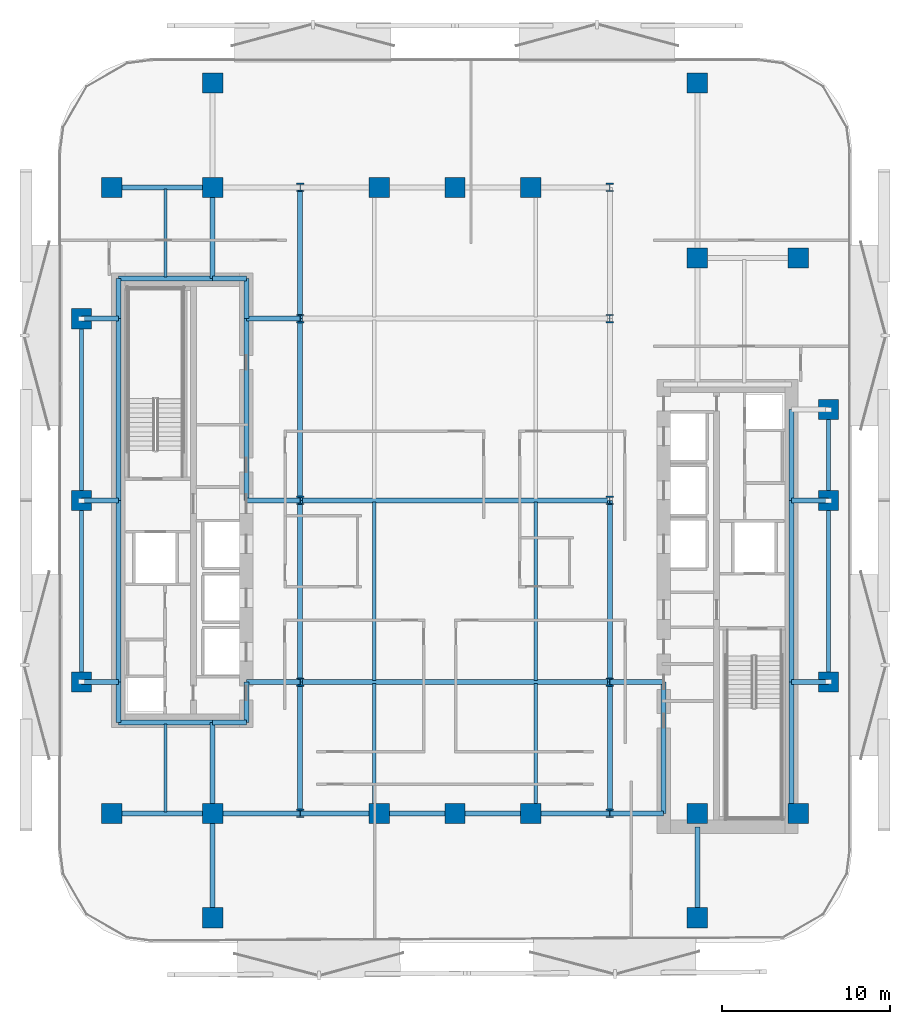
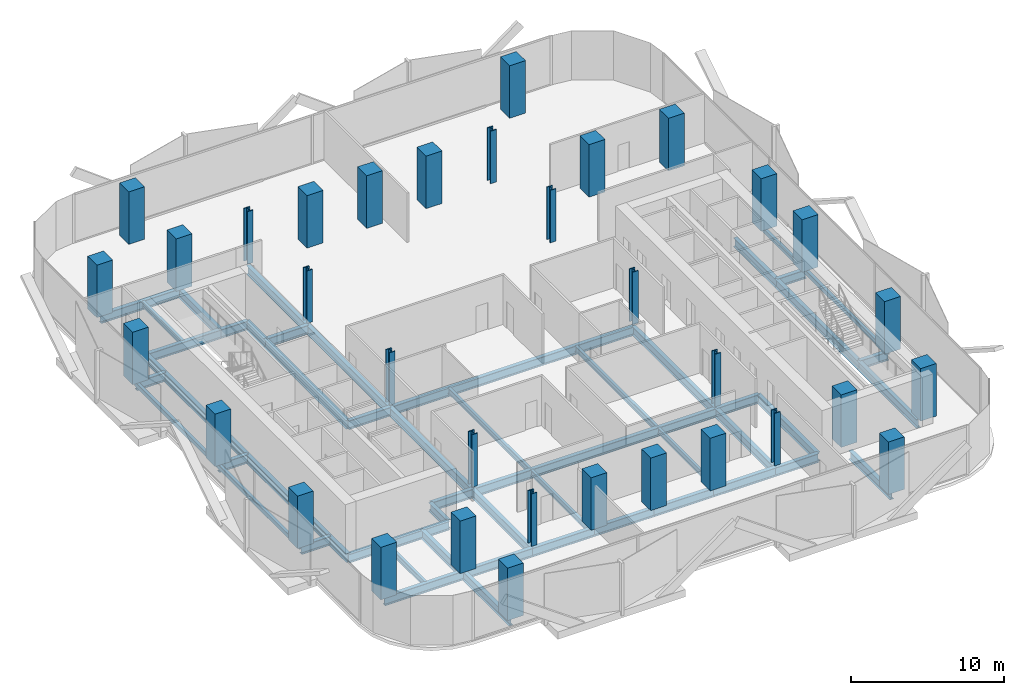
# One storey, part 1 of 15: 54 beams, 34 columns.
"""IFC4 building model written with IfcOpenShell, lengths in metres."""

from ifc_helpers import new_model, si_unit, direction, frame, origin, origin_2d, place, context, subcontext, project, spatial, rectangle, hollow_rectangle, i_section, extrude, material, material_profile, profile_set, type_object, element, save


model = new_model("IFC4")

# Units and contexts
model_context = context("Model", 3, precision=1e-05, world=origin(), true_north=direction((0.0, 1.0)))
body_context = subcontext(model_context, "Body", "Model", "MODEL_VIEW")
ifc_project = project(units=[si_unit("LENGTHUNIT", "METRE"), si_unit("AREAUNIT", "SQUARE_METRE"), si_unit("VOLUMEUNIT", "CUBIC_METRE"), si_unit("PLANEANGLEUNIT", "RADIAN"), si_unit("MASSUNIT", "GRAM", prefix="KILO")], contexts=[model_context])

# Site, building, storey
site_placement = place(None, origin())
site = spatial("IfcSite", under=ifc_project, at=site_placement, CompositionType="ELEMENT")
building_placement = place(site_placement, origin())
building = spatial("IfcBuilding", under=site, at=building_placement, Name="Khairoan Windgate Tower", CompositionType="ELEMENT")
storey_placement = place(building_placement, frame((0.0, 0.0, 114.199951171875)))
storey = spatial("IfcBuildingStorey", under=building, at=storey_placement, Name="L26", CompositionType="ELEMENT", Elevation=114.199951171875)

# Columns
ifc_material_1 = material(Name="Concrete C60/75", Category="concrete")
ifc_material_profile_1 = material_profile(ifc_material_1, rectangle(XDim=1.199951171875, YDim=1.199951171875, at=origin_2d()))
ifc_profile_set_1 = profile_set([ifc_material_profile_1], Name="Concrete C60/75")
column_type_1 = type_object("IfcColumnType", Name="Column C-T3 RC1200x1200", PredefinedType="COLUMN", material=ifc_profile_set_1)
for number, where, z_axis, x_axis, name in (
    (1, (-20.39990234375, -18.60009765625, 0.0), (0.0, 0.0, 1.0), (1.0, 0.0, 0.0), "Column L26-11"),
    (2, (-20.39990234375, 18.60009765625, 0.0), (0.0, 0.0, 1.0), (1.0, 0.0, 0.0), "Column L26-12"),
    (3, (20.39990234375, -18.60009765625, 0.0), (0.0, 0.0, 1.0), (1.0, 0.0, 0.0), "Column L26-13"),
    (4, (20.39990234375, 14.39990234375, 0.0), (0.0, 0.0, 1.0), (1.0, 0.0, 0.0), "Column L26-14"),
    (5, (-14.39990234375, -18.60009765625, 0.0), (0.0, 0.0, 1.0), (1.0, 0.0, 0.0), "Column L26-15"),
    (6, (-14.39990234375, 18.60009765625, 0.0), (0.0, 0.0, 1.0), (1.0, 0.0, 0.0), "Column L26-16"),
    (7, (14.39990234375, -18.60009765625, 0.0), (0.0, 0.0, 1.0), (1.0, 0.0, 0.0), "Column L26-17"),
    (8, (14.39990234375, 14.39990234375, 0.0), (0.0, 0.0, 1.0), (1.0, 0.0, 0.0), "Column L26-18"),
    (9, (-4.5, -18.60009765625, 0.0), (0.0, 0.0, 1.0), (1.0, 0.0, 0.0), "Column L26-19"),
    (10, (0.0, -18.60009765625, 0.0), (0.0, 0.0, 1.0), (1.0, 0.0, 0.0), "Column L26-20"),
    (11, (4.5, -18.60009765625, 0.0), (0.0, 0.0, 1.0), (1.0, 0.0, 0.0), "Column L26-21"),
    (12, (-4.5, 18.60009765625, 0.0), (0.0, 0.0, 1.0), (1.0, 0.0, 0.0), "Column L26-22"),
    (13, (0.0, 18.60009765625, 0.0), (0.0, 0.0, 1.0), (1.0, 0.0, 0.0), "Column L26-23"),
    (14, (4.5, 18.60009765625, 0.0), (0.0, 0.0, 1.0), (1.0, 0.0, 0.0), "Column L26-24"),
    (15, (-22.199951171875, -10.800048828125, 0.0), (0.0, 0.0, 1.0), (1.0, 0.0, 0.0), "Column L26-25"),
    (16, (-22.199951171875, 0.0, 0.0), (0.0, 0.0, 1.0), (1.0, 0.0, 0.0), "Column L26-26"),
    (17, (-22.199951171875, 10.800048828125, 0.0), (0.0, 0.0, 1.0), (1.0, 0.0, 0.0), "Column L26-27"),
    (18, (22.199951171875, -10.800048828125, 0.0), (0.0, 0.0, 1.0), (1.0, 0.0, 0.0), "Column L26-28"),
    (19, (22.199951171875, 0.0, 0.0), (0.0, 0.0, 1.0), (1.0, 0.0, 0.0), "Column L26-29"),
    (20, (22.199951171875, 5.39990234375, 0.0), (0.0, 0.0, 1.0), (1.0, 0.0, 0.0), "Column L26-30"),
    (21, (-14.39990234375, -24.800048828125, 0.0), (0.0, 0.0, 1.0), (1.0, 0.0, 0.0), "Column L26-31"),
    (22, (-14.39990234375, 24.800048828125, 0.0), (0.0, 0.0, 1.0), (1.0, 0.0, 0.0), "Column L26-32"),
    (23, (14.39990234375, -24.800048828125, 0.0), (0.0, 0.0, 1.0), (1.0, 0.0, 0.0), "Column L26-33"),
    (24, (14.39990234375, 24.800048828125, 0.0), (0.0, 0.0, 1.0), (1.0, 0.0, 0.0), "Column L26-34"),
):
    element("IfcColumn", number, at=place(storey_placement, frame(where, z_axis=z_axis, x_axis=x_axis)), inside=storey, type_object=column_type_1, Name=name, PredefinedType="COLUMN", context=body_context, shape_type="SweptSolid", body=[
        extrude(rectangle(XDim=1.199951171875, YDim=1.199951171875, at=origin_2d()), origin(), (0.0, 0.0, 1.0), 4.199951171875),
    ])
ifc_material_2 = material(Name="Steel S355", Category="steel")
ifc_material_profile_2 = material_profile(ifc_material_2, i_section(OverallWidth=0.431884765625, OverallDepth=0.498046875, WebThickness=0.044921875, FlangeThickness=0.070068359375, FilletRadius=0.02197265625, at=origin_2d()))
ifc_profile_set_2 = profile_set([ifc_material_profile_2], Name="Steel S355")
column_type_2 = type_object("IfcColumnType", Name="Steel Column SC1 H498x432x45x70", PredefinedType="COLUMN", material=ifc_profile_set_2)
for number, where, z_axis, x_axis, name in (
    (25, (-9.199951171875, -18.60009765625, 0.0), (0.0, 0.0, 1.0), (1.0, 0.0, 0.0), "Column L26-01"),
    (26, (-9.199951171875, -10.800048828125, 0.0), (0.0, 0.0, 1.0), (1.0, 0.0, 0.0), "Column L26-02"),
    (27, (-9.199951171875, 0.0, 0.0), (0.0, 0.0, 1.0), (1.0, 0.0, 0.0), "Column L26-03"),
    (28, (-9.199951171875, 10.800048828125, 0.0), (0.0, 0.0, 1.0), (1.0, 0.0, 0.0), "Column L26-04"),
    (29, (-9.199951171875, 18.60009765625, 0.0), (0.0, 0.0, 1.0), (1.0, 0.0, 0.0), "Column L26-05"),
    (30, (9.199951171875, -18.60009765625, 0.0), (0.0, 0.0, 1.0), (1.0, 0.0, 0.0), "Column L26-06"),
    (31, (9.199951171875, -10.800048828125, 0.0), (0.0, 0.0, 1.0), (1.0, 0.0, 0.0), "Column L26-07"),
    (32, (9.199951171875, 0.0, 0.0), (0.0, 0.0, 1.0), (1.0, 0.0, 0.0), "Column L26-08"),
    (33, (9.199951171875, 10.800048828125, 0.0), (0.0, 0.0, 1.0), (1.0, 0.0, 0.0), "Column L26-09"),
    (34, (9.199951171875, 18.60009765625, 0.0), (0.0, 0.0, 1.0), (1.0, 0.0, 0.0), "Column L26-10"),
):
    element("IfcColumn", number, at=place(storey_placement, frame(where, z_axis=z_axis, x_axis=x_axis)), inside=storey, type_object=column_type_2, Name=name, PredefinedType="COLUMN", context=body_context, shape_type="SweptSolid", body=[
        extrude(i_section(OverallWidth=0.431884765625, OverallDepth=0.498046875, WebThickness=0.044921875, FlangeThickness=0.070068359375, FilletRadius=0.02197265625, at=origin_2d()), origin(), (0.0, 0.0, 1.0), 4.199951171875),
    ])

# Beams
ifc_material_3 = material(Name="Steel S355", Category="steel")
ifc_material_profile_3 = material_profile(ifc_material_3, i_section(OverallWidth=0.300048828125, OverallDepth=0.699951171875, WebThickness=0.012939453125, FlangeThickness=0.02392578125, FilletRadius=0.02587890625, at=origin_2d()))
ifc_profile_set_3 = profile_set([ifc_material_profile_3], Name="Steel S355")
beam_type_1 = type_object("IfcBeamType", Name="Beam B-G3 H700x300x13x24", PredefinedType="BEAM", material=ifc_profile_set_3)
beam_1_placement = place(storey_placement, frame((-20.39990234375, -18.60009765625, -0.60986328125), z_axis=(1.0, 0.0, 0.0), x_axis=(0.0, 1.0, 0.0)))
element("IfcBeam", 35, at=beam_1_placement, inside=storey, type_object=beam_type_1, Name="L26 E-W Primary Girder 01", PredefinedType="BEAM", context=body_context, shape_type="SweptSolid", body=[
    extrude(i_section(OverallWidth=0.300048828125, OverallDepth=0.699951171875, WebThickness=0.012939453125, FlangeThickness=0.02392578125, FilletRadius=0.02587890625, at=origin_2d()), origin(), (0.0, 0.0, 1.0), 6.0),
])
beam_2_placement = place(storey_placement, frame((-14.39990234375, -18.60009765625, -0.60986328125), z_axis=(1.0, 0.0, 0.0), x_axis=(0.0, 1.0, 0.0)))
element("IfcBeam", 36, at=beam_2_placement, inside=storey, type_object=beam_type_1, Name="L26 E-W Primary Girder 02", PredefinedType="BEAM", context=body_context, shape_type="SweptSolid", body=[
    extrude(i_section(OverallWidth=0.300048828125, OverallDepth=0.699951171875, WebThickness=0.012939453125, FlangeThickness=0.02392578125, FilletRadius=0.02587890625, at=origin_2d()), origin(), (0.0, 0.0, 1.0), 5.199951171875),
])
beam_3_placement = place(storey_placement, frame((-9.199951171875, -18.60009765625, -0.60986328125), z_axis=(1.0, 0.0, 0.0), x_axis=(0.0, 1.0, 0.0)))
element("IfcBeam", 37, at=beam_3_placement, inside=storey, type_object=beam_type_1, Name="L26 E-W Primary Girder 03", PredefinedType="BEAM", context=body_context, shape_type="SweptSolid", body=[
    extrude(i_section(OverallWidth=0.300048828125, OverallDepth=0.699951171875, WebThickness=0.012939453125, FlangeThickness=0.02392578125, FilletRadius=0.02587890625, at=origin_2d()), origin(), (0.0, 0.0, 1.0), 4.699951171875),
])
for number, where, z_axis, x_axis, name in (
    (38, (-4.5, -18.60009765625, -0.60986328125), (1.0, 0.0, 0.0), (0.0, 1.0, 0.0), "L26 E-W Primary Girder 04"),
    (39, (0.0, -18.60009765625, -0.60986328125), (1.0, 0.0, 0.0), (0.0, 1.0, 0.0), "L26 E-W Primary Girder 05"),
):
    element("IfcBeam", number, at=place(storey_placement, frame(where, z_axis=z_axis, x_axis=x_axis)), inside=storey, type_object=beam_type_1, Name=name, PredefinedType="BEAM", context=body_context, shape_type="SweptSolid", body=[
        extrude(i_section(OverallWidth=0.300048828125, OverallDepth=0.699951171875, WebThickness=0.012939453125, FlangeThickness=0.02392578125, FilletRadius=0.02587890625, at=origin_2d()), origin(), (0.0, 0.0, 1.0), 4.5),
    ])
beam_4_placement = place(storey_placement, frame((4.5, -18.60009765625, -0.60986328125), z_axis=(1.0, 0.0, 0.0), x_axis=(0.0, 1.0, 0.0)))
element("IfcBeam", 40, at=beam_4_placement, inside=storey, type_object=beam_type_1, Name="L26 E-W Primary Girder 06", PredefinedType="BEAM", context=body_context, shape_type="SweptSolid", body=[
    extrude(i_section(OverallWidth=0.300048828125, OverallDepth=0.699951171875, WebThickness=0.012939453125, FlangeThickness=0.02392578125, FilletRadius=0.02587890625, at=origin_2d()), origin(), (0.0, 0.0, 1.0), 4.699951171875),
])
beam_5_placement = place(storey_placement, frame((9.199951171875, -18.60009765625, -0.60986328125), z_axis=(1.0, 0.0, 0.0), x_axis=(0.0, 1.0, 0.0)))
element("IfcBeam", 41, at=beam_5_placement, inside=storey, type_object=beam_type_1, Name="L26 E-W Primary Girder 07", PredefinedType="BEAM", context=body_context, shape_type="SweptSolid", body=[
    extrude(i_section(OverallWidth=0.300048828125, OverallDepth=0.699951171875, WebThickness=0.012939453125, FlangeThickness=0.02392578125, FilletRadius=0.02587890625, at=origin_2d()), origin(), (0.0, 0.0, 1.0), 3.199951171875),
])
beam_6_placement = place(storey_placement, frame((-20.0, -13.199951171875, -0.60986328125), z_axis=(1.0, 0.0, 0.0), x_axis=(0.0, 1.0, 0.0)))
element("IfcBeam", 42, at=beam_6_placement, inside=storey, type_object=beam_type_1, Name="L26 E-W Primary Girder 08", PredefinedType="BEAM", context=body_context, shape_type="SweptSolid", body=[
    extrude(i_section(OverallWidth=0.300048828125, OverallDepth=0.699951171875, WebThickness=0.012939453125, FlangeThickness=0.02392578125, FilletRadius=0.02587890625, at=origin_2d()), origin(), (0.0, 0.0, 1.0), 5.60009765625),
])
beam_7_placement = place(storey_placement, frame((-14.39990234375, -13.199951171875, -0.60986328125), z_axis=(1.0, 0.0, 0.0), x_axis=(0.0, 1.0, 0.0)))
element("IfcBeam", 43, at=beam_7_placement, inside=storey, type_object=beam_type_1, Name="L26 E-W Primary Girder 09", PredefinedType="BEAM", context=body_context, shape_type="SweptSolid", body=[
    extrude(i_section(OverallWidth=0.300048828125, OverallDepth=0.699951171875, WebThickness=0.012939453125, FlangeThickness=0.02392578125, FilletRadius=0.02587890625, at=origin_2d()), origin(), (0.0, 0.0, 1.0), 2.0),
])
beam_8_placement = place(storey_placement, frame((-22.199951171875, -10.800048828125, -0.60986328125), z_axis=(1.0, 0.0, 0.0), x_axis=(0.0, 1.0, 0.0)))
element("IfcBeam", 44, at=beam_8_placement, inside=storey, type_object=beam_type_1, Name="L26 E-W Primary Girder 10", PredefinedType="BEAM", context=body_context, shape_type="SweptSolid", body=[
    extrude(i_section(OverallWidth=0.300048828125, OverallDepth=0.699951171875, WebThickness=0.012939453125, FlangeThickness=0.02392578125, FilletRadius=0.02587890625, at=origin_2d()), origin(), (0.0, 0.0, 1.0), 2.199951171875),
])
beam_9_placement = place(storey_placement, frame((-12.39990234375, -10.800048828125, -0.60986328125), z_axis=(1.0, 0.0, 0.0), x_axis=(0.0, 1.0, 0.0)))
element("IfcBeam", 45, at=beam_9_placement, inside=storey, type_object=beam_type_1, Name="L26 E-W Primary Girder 11", PredefinedType="BEAM", context=body_context, shape_type="SweptSolid", body=[
    extrude(i_section(OverallWidth=0.300048828125, OverallDepth=0.699951171875, WebThickness=0.012939453125, FlangeThickness=0.02392578125, FilletRadius=0.02587890625, at=origin_2d()), origin(), (0.0, 0.0, 1.0), 3.199951171875),
])
beam_10_placement = place(storey_placement, frame((-9.199951171875, -10.800048828125, -0.60986328125), z_axis=(1.0, 0.0, 0.0), x_axis=(0.0, 1.0, 0.0)))
element("IfcBeam", 46, at=beam_10_placement, inside=storey, type_object=beam_type_1, Name="L26 E-W Primary Girder 12", PredefinedType="BEAM", context=body_context, shape_type="SweptSolid", body=[
    extrude(i_section(OverallWidth=0.300048828125, OverallDepth=0.699951171875, WebThickness=0.012939453125, FlangeThickness=0.02392578125, FilletRadius=0.02587890625, at=origin_2d()), origin(), (0.0, 0.0, 1.0), 18.39990234375),
])
beam_11_placement = place(storey_placement, frame((9.199951171875, -10.800048828125, -0.60986328125), z_axis=(1.0, 0.0, 0.0), x_axis=(0.0, 1.0, 0.0)))
element("IfcBeam", 47, at=beam_11_placement, inside=storey, type_object=beam_type_1, Name="L26 E-W Primary Girder 13", PredefinedType="BEAM", context=body_context, shape_type="SweptSolid", body=[
    extrude(i_section(OverallWidth=0.300048828125, OverallDepth=0.699951171875, WebThickness=0.012939453125, FlangeThickness=0.02392578125, FilletRadius=0.02587890625, at=origin_2d()), origin(), (0.0, 0.0, 1.0), 3.199951171875),
])
for number, where, z_axis, x_axis, name in (
    (48, (20.0, -10.800048828125, -0.60986328125), (1.0, 0.0, 0.0), (0.0, 1.0, 0.0), "L26 E-W Primary Girder 14"),
    (49, (-22.199951171875, 0.0, -0.60986328125), (1.0, 0.0, 0.0), (0.0, 1.0, 0.0), "L26 E-W Primary Girder 15"),
):
    element("IfcBeam", number, at=place(storey_placement, frame(where, z_axis=z_axis, x_axis=x_axis)), inside=storey, type_object=beam_type_1, Name=name, PredefinedType="BEAM", context=body_context, shape_type="SweptSolid", body=[
        extrude(i_section(OverallWidth=0.300048828125, OverallDepth=0.699951171875, WebThickness=0.012939453125, FlangeThickness=0.02392578125, FilletRadius=0.02587890625, at=origin_2d()), origin(), (0.0, 0.0, 1.0), 2.199951171875),
    ])
beam_12_placement = place(storey_placement, frame((-12.39990234375, 0.0, -0.60986328125), z_axis=(1.0, 0.0, 0.0), x_axis=(0.0, 1.0, 0.0)))
element("IfcBeam", 50, at=beam_12_placement, inside=storey, type_object=beam_type_1, Name="L26 E-W Primary Girder 16", PredefinedType="BEAM", context=body_context, shape_type="SweptSolid", body=[
    extrude(i_section(OverallWidth=0.300048828125, OverallDepth=0.699951171875, WebThickness=0.012939453125, FlangeThickness=0.02392578125, FilletRadius=0.02587890625, at=origin_2d()), origin(), (0.0, 0.0, 1.0), 3.199951171875),
])
beam_13_placement = place(storey_placement, frame((-9.199951171875, 0.0, -0.60986328125), z_axis=(1.0, 0.0, 0.0), x_axis=(0.0, 1.0, 0.0)))
element("IfcBeam", 51, at=beam_13_placement, inside=storey, type_object=beam_type_1, Name="L26 E-W Primary Girder 17", PredefinedType="BEAM", context=body_context, shape_type="SweptSolid", body=[
    extrude(i_section(OverallWidth=0.300048828125, OverallDepth=0.699951171875, WebThickness=0.012939453125, FlangeThickness=0.02392578125, FilletRadius=0.02587890625, at=origin_2d()), origin(), (0.0, 0.0, 1.0), 18.39990234375),
])
for number, where, z_axis, x_axis, name in (
    (52, (20.0, 0.0, -0.60986328125), (1.0, 0.0, 0.0), (0.0, 1.0, 0.0), "L26 E-W Primary Girder 18"),
    (53, (-22.199951171875, 10.800048828125, -0.60986328125), (1.0, 0.0, 0.0), (0.0, 1.0, 0.0), "L26 E-W Primary Girder 22"),
):
    element("IfcBeam", number, at=place(storey_placement, frame(where, z_axis=z_axis, x_axis=x_axis)), inside=storey, type_object=beam_type_1, Name=name, PredefinedType="BEAM", context=body_context, shape_type="SweptSolid", body=[
        extrude(i_section(OverallWidth=0.300048828125, OverallDepth=0.699951171875, WebThickness=0.012939453125, FlangeThickness=0.02392578125, FilletRadius=0.02587890625, at=origin_2d()), origin(), (0.0, 0.0, 1.0), 2.199951171875),
    ])
beam_14_placement = place(storey_placement, frame((-12.39990234375, 10.800048828125, -0.60986328125), z_axis=(1.0, 0.0, 0.0), x_axis=(0.0, 1.0, 0.0)))
element("IfcBeam", 54, at=beam_14_placement, inside=storey, type_object=beam_type_1, Name="L26 E-W Primary Girder 23", PredefinedType="BEAM", context=body_context, shape_type="SweptSolid", body=[
    extrude(i_section(OverallWidth=0.300048828125, OverallDepth=0.699951171875, WebThickness=0.012939453125, FlangeThickness=0.02392578125, FilletRadius=0.02587890625, at=origin_2d()), origin(), (0.0, 0.0, 1.0), 3.199951171875),
])
beam_15_placement = place(storey_placement, frame((-20.0, 13.199951171875, -0.60986328125), z_axis=(1.0, 0.0, 0.0), x_axis=(0.0, 1.0, 0.0)))
element("IfcBeam", 55, at=beam_15_placement, inside=storey, type_object=beam_type_1, Name="L26 E-W Primary Girder 25", PredefinedType="BEAM", context=body_context, shape_type="SweptSolid", body=[
    extrude(i_section(OverallWidth=0.300048828125, OverallDepth=0.699951171875, WebThickness=0.012939453125, FlangeThickness=0.02392578125, FilletRadius=0.02587890625, at=origin_2d()), origin(), (0.0, 0.0, 1.0), 5.60009765625),
])
beam_16_placement = place(storey_placement, frame((-14.39990234375, 13.199951171875, -0.60986328125), z_axis=(1.0, 0.0, 0.0), x_axis=(0.0, 1.0, 0.0)))
element("IfcBeam", 56, at=beam_16_placement, inside=storey, type_object=beam_type_1, Name="L26 E-W Primary Girder 26", PredefinedType="BEAM", context=body_context, shape_type="SweptSolid", body=[
    extrude(i_section(OverallWidth=0.300048828125, OverallDepth=0.699951171875, WebThickness=0.012939453125, FlangeThickness=0.02392578125, FilletRadius=0.02587890625, at=origin_2d()), origin(), (0.0, 0.0, 1.0), 2.0),
])
beam_17_placement = place(storey_placement, frame((-20.39990234375, 18.60009765625, -0.60986328125), z_axis=(1.0, 0.0, 0.0), x_axis=(0.0, 1.0, 0.0)))
element("IfcBeam", 57, at=beam_17_placement, inside=storey, type_object=beam_type_1, Name="L26 E-W Primary Girder 28", PredefinedType="BEAM", context=body_context, shape_type="SweptSolid", body=[
    extrude(i_section(OverallWidth=0.300048828125, OverallDepth=0.699951171875, WebThickness=0.012939453125, FlangeThickness=0.02392578125, FilletRadius=0.02587890625, at=origin_2d()), origin(), (0.0, 0.0, 1.0), 6.0),
])
beam_18_placement = place(storey_placement, frame((-20.0, -13.199951171875, -0.60986328125), z_axis=(0.0, 1.0, 0.0), x_axis=(-1.0, 0.0, 0.0)))
element("IfcBeam", 58, at=beam_18_placement, inside=storey, type_object=beam_type_1, Name="L26 N-S Primary Beam 36", PredefinedType="BEAM", context=body_context, shape_type="SweptSolid", body=[
    extrude(i_section(OverallWidth=0.300048828125, OverallDepth=0.699951171875, WebThickness=0.012939453125, FlangeThickness=0.02392578125, FilletRadius=0.02587890625, at=origin_2d()), origin(), (0.0, 0.0, 1.0), 2.39990234375),
])
for number, where, z_axis, x_axis, name in (
    (59, (-20.0, -10.800048828125, -0.60986328125), (0.0, 1.0, 0.0), (-1.0, 0.0, 0.0), "L26 N-S Primary Beam 37"),
    (60, (-20.0, 0.0, -0.60986328125), (0.0, 1.0, 0.0), (-1.0, 0.0, 0.0), "L26 N-S Primary Beam 38"),
):
    element("IfcBeam", number, at=place(storey_placement, frame(where, z_axis=z_axis, x_axis=x_axis)), inside=storey, type_object=beam_type_1, Name=name, PredefinedType="BEAM", context=body_context, shape_type="SweptSolid", body=[
        extrude(i_section(OverallWidth=0.300048828125, OverallDepth=0.699951171875, WebThickness=0.012939453125, FlangeThickness=0.02392578125, FilletRadius=0.02587890625, at=origin_2d()), origin(), (0.0, 0.0, 1.0), 10.800048828125),
    ])
beam_19_placement = place(storey_placement, frame((-20.0, 10.800048828125, -0.60986328125), z_axis=(0.0, 1.0, 0.0), x_axis=(-1.0, 0.0, 0.0)))
element("IfcBeam", 61, at=beam_19_placement, inside=storey, type_object=beam_type_1, Name="L26 N-S Primary Beam 39", PredefinedType="BEAM", context=body_context, shape_type="SweptSolid", body=[
    extrude(i_section(OverallWidth=0.300048828125, OverallDepth=0.699951171875, WebThickness=0.012939453125, FlangeThickness=0.02392578125, FilletRadius=0.02587890625, at=origin_2d()), origin(), (0.0, 0.0, 1.0), 2.39990234375),
])
beam_20_placement = place(storey_placement, frame((-14.39990234375, -24.800048828125, -0.60986328125), z_axis=(0.0, 1.0, 0.0), x_axis=(-1.0, 0.0, 0.0)))
element("IfcBeam", 62, at=beam_20_placement, inside=storey, type_object=beam_type_1, Name="L26 N-S Primary Beam 40", PredefinedType="BEAM", context=body_context, shape_type="SweptSolid", body=[
    extrude(i_section(OverallWidth=0.300048828125, OverallDepth=0.699951171875, WebThickness=0.012939453125, FlangeThickness=0.02392578125, FilletRadius=0.02587890625, at=origin_2d()), origin(), (0.0, 0.0, 1.0), 6.199951171875),
])
for number, where, z_axis, x_axis, name in (
    (63, (-14.39990234375, -18.60009765625, -0.60986328125), (0.0, 1.0, 0.0), (-1.0, 0.0, 0.0), "L26 N-S Primary Beam 41"),
    (64, (-14.39990234375, 13.199951171875, -0.60986328125), (0.0, 1.0, 0.0), (-1.0, 0.0, 0.0), "L26 N-S Primary Beam 42"),
):
    element("IfcBeam", number, at=place(storey_placement, frame(where, z_axis=z_axis, x_axis=x_axis)), inside=storey, type_object=beam_type_1, Name=name, PredefinedType="BEAM", context=body_context, shape_type="SweptSolid", body=[
        extrude(i_section(OverallWidth=0.300048828125, OverallDepth=0.699951171875, WebThickness=0.012939453125, FlangeThickness=0.02392578125, FilletRadius=0.02587890625, at=origin_2d()), origin(), (0.0, 0.0, 1.0), 5.400146484375),
    ])
beam_21_placement = place(storey_placement, frame((-12.39990234375, -13.199951171875, -0.60986328125), z_axis=(0.0, 1.0, 0.0), x_axis=(-1.0, 0.0, 0.0)))
element("IfcBeam", 65, at=beam_21_placement, inside=storey, type_object=beam_type_1, Name="L26 N-S Primary Beam 44", PredefinedType="BEAM", context=body_context, shape_type="SweptSolid", body=[
    extrude(i_section(OverallWidth=0.300048828125, OverallDepth=0.699951171875, WebThickness=0.012939453125, FlangeThickness=0.02392578125, FilletRadius=0.02587890625, at=origin_2d()), origin(), (0.0, 0.0, 1.0), 2.39990234375),
])
beam_22_placement = place(storey_placement, frame((-12.39990234375, 0.0, -0.60986328125), z_axis=(0.0, 1.0, 0.0), x_axis=(-1.0, 0.0, 0.0)))
element("IfcBeam", 66, at=beam_22_placement, inside=storey, type_object=beam_type_1, Name="L26 N-S Primary Beam 45", PredefinedType="BEAM", context=body_context, shape_type="SweptSolid", body=[
    extrude(i_section(OverallWidth=0.300048828125, OverallDepth=0.699951171875, WebThickness=0.012939453125, FlangeThickness=0.02392578125, FilletRadius=0.02587890625, at=origin_2d()), origin(), (0.0, 0.0, 1.0), 10.800048828125),
])
beam_23_placement = place(storey_placement, frame((-12.39990234375, 10.800048828125, -0.60986328125), z_axis=(0.0, 1.0, 0.0), x_axis=(-1.0, 0.0, 0.0)))
element("IfcBeam", 67, at=beam_23_placement, inside=storey, type_object=beam_type_1, Name="L26 N-S Primary Beam 46", PredefinedType="BEAM", context=body_context, shape_type="SweptSolid", body=[
    extrude(i_section(OverallWidth=0.300048828125, OverallDepth=0.699951171875, WebThickness=0.012939453125, FlangeThickness=0.02392578125, FilletRadius=0.02587890625, at=origin_2d()), origin(), (0.0, 0.0, 1.0), 2.39990234375),
])
beam_24_placement = place(storey_placement, frame((-9.199951171875, -18.60009765625, -0.60986328125), z_axis=(0.0, 1.0, 0.0), x_axis=(-1.0, 0.0, 0.0)))
element("IfcBeam", 68, at=beam_24_placement, inside=storey, type_object=beam_type_1, Name="L26 N-S Primary Beam 47", PredefinedType="BEAM", context=body_context, shape_type="SweptSolid", body=[
    extrude(i_section(OverallWidth=0.300048828125, OverallDepth=0.699951171875, WebThickness=0.012939453125, FlangeThickness=0.02392578125, FilletRadius=0.02587890625, at=origin_2d()), origin(), (0.0, 0.0, 1.0), 7.800048828125),
])
for number, where, z_axis, x_axis, name in (
    (69, (-9.199951171875, -10.800048828125, -0.60986328125), (0.0, 1.0, 0.0), (-1.0, 0.0, 0.0), "L26 N-S Primary Beam 48"),
    (70, (-9.199951171875, 0.0, -0.60986328125), (0.0, 1.0, 0.0), (-1.0, 0.0, 0.0), "L26 N-S Primary Beam 49"),
):
    element("IfcBeam", number, at=place(storey_placement, frame(where, z_axis=z_axis, x_axis=x_axis)), inside=storey, type_object=beam_type_1, Name=name, PredefinedType="BEAM", context=body_context, shape_type="SweptSolid", body=[
        extrude(i_section(OverallWidth=0.300048828125, OverallDepth=0.699951171875, WebThickness=0.012939453125, FlangeThickness=0.02392578125, FilletRadius=0.02587890625, at=origin_2d()), origin(), (0.0, 0.0, 1.0), 10.800048828125),
    ])
for number, where, z_axis, x_axis, name in (
    (71, (-9.199951171875, 10.800048828125, -0.60986328125), (0.0, 1.0, 0.0), (-1.0, 0.0, 0.0), "L26 N-S Primary Beam 50"),
    (72, (9.199951171875, -18.60009765625, -0.60986328125), (0.0, 1.0, 0.0), (-1.0, 0.0, 0.0), "L26 N-S Primary Beam 51"),
):
    element("IfcBeam", number, at=place(storey_placement, frame(where, z_axis=z_axis, x_axis=x_axis)), inside=storey, type_object=beam_type_1, Name=name, PredefinedType="BEAM", context=body_context, shape_type="SweptSolid", body=[
        extrude(i_section(OverallWidth=0.300048828125, OverallDepth=0.699951171875, WebThickness=0.012939453125, FlangeThickness=0.02392578125, FilletRadius=0.02587890625, at=origin_2d()), origin(), (0.0, 0.0, 1.0), 7.800048828125),
    ])
beam_25_placement = place(storey_placement, frame((9.199951171875, -10.800048828125, -0.60986328125), z_axis=(0.0, 1.0, 0.0), x_axis=(-1.0, 0.0, 0.0)))
element("IfcBeam", 73, at=beam_25_placement, inside=storey, type_object=beam_type_1, Name="L26 N-S Primary Beam 52", PredefinedType="BEAM", context=body_context, shape_type="SweptSolid", body=[
    extrude(i_section(OverallWidth=0.300048828125, OverallDepth=0.699951171875, WebThickness=0.012939453125, FlangeThickness=0.02392578125, FilletRadius=0.02587890625, at=origin_2d()), origin(), (0.0, 0.0, 1.0), 10.800048828125),
])
beam_26_placement = place(storey_placement, frame((12.39990234375, -18.60009765625, -0.60986328125), z_axis=(0.0, 1.0, 0.0), x_axis=(-1.0, 0.0, 0.0)))
element("IfcBeam", 74, at=beam_26_placement, inside=storey, type_object=beam_type_1, Name="L26 N-S Primary Beam 55", PredefinedType="BEAM", context=body_context, shape_type="SweptSolid", body=[
    extrude(i_section(OverallWidth=0.300048828125, OverallDepth=0.699951171875, WebThickness=0.012939453125, FlangeThickness=0.02392578125, FilletRadius=0.02587890625, at=origin_2d()), origin(), (0.0, 0.0, 1.0), 7.800048828125),
])
beam_27_placement = place(storey_placement, frame((14.39990234375, -24.800048828125, -0.60986328125), z_axis=(0.0, 1.0, 0.0), x_axis=(-1.0, 0.0, 0.0)))
element("IfcBeam", 75, at=beam_27_placement, inside=storey, type_object=beam_type_1, Name="L26 N-S Primary Beam 56", PredefinedType="BEAM", context=body_context, shape_type="SweptSolid", body=[
    extrude(i_section(OverallWidth=0.300048828125, OverallDepth=0.699951171875, WebThickness=0.012939453125, FlangeThickness=0.02392578125, FilletRadius=0.02587890625, at=origin_2d()), origin(), (0.0, 0.0, 1.0), 5.400146484375),
])
beam_28_placement = place(storey_placement, frame((20.0, -18.60009765625, -0.60986328125), z_axis=(0.0, 1.0, 0.0), x_axis=(-1.0, 0.0, 0.0)))
element("IfcBeam", 76, at=beam_28_placement, inside=storey, type_object=beam_type_1, Name="L26 N-S Primary Beam 59", PredefinedType="BEAM", context=body_context, shape_type="SweptSolid", body=[
    extrude(i_section(OverallWidth=0.300048828125, OverallDepth=0.699951171875, WebThickness=0.012939453125, FlangeThickness=0.02392578125, FilletRadius=0.02587890625, at=origin_2d()), origin(), (0.0, 0.0, 1.0), 7.800048828125),
])
beam_29_placement = place(storey_placement, frame((20.0, -10.800048828125, -0.60986328125), z_axis=(0.0, 1.0, 0.0), x_axis=(-1.0, 0.0, 0.0)))
element("IfcBeam", 77, at=beam_29_placement, inside=storey, type_object=beam_type_1, Name="L26 N-S Primary Beam 60", PredefinedType="BEAM", context=body_context, shape_type="SweptSolid", body=[
    extrude(i_section(OverallWidth=0.300048828125, OverallDepth=0.699951171875, WebThickness=0.012939453125, FlangeThickness=0.02392578125, FilletRadius=0.02587890625, at=origin_2d()), origin(), (0.0, 0.0, 1.0), 10.800048828125),
])
beam_30_placement = place(storey_placement, frame((20.0, 0.0, -0.60986328125), z_axis=(0.0, 1.0, 0.0), x_axis=(-1.0, 0.0, 0.0)))
element("IfcBeam", 78, at=beam_30_placement, inside=storey, type_object=beam_type_1, Name="L26 N-S Primary Beam 61", PredefinedType="BEAM", context=body_context, shape_type="SweptSolid", body=[
    extrude(i_section(OverallWidth=0.300048828125, OverallDepth=0.699951171875, WebThickness=0.012939453125, FlangeThickness=0.02392578125, FilletRadius=0.02587890625, at=origin_2d()), origin(), (0.0, 0.0, 1.0), 5.39990234375),
])
ifc_material_4 = material(Name="Steel S355", Category="steel")
ifc_material_profile_4 = material_profile(ifc_material_4, i_section(OverallWidth=0.199951171875, OverallDepth=0.449951171875, WebThickness=0.009033203125, FlangeThickness=0.013916015625, FilletRadius=0.01806640625, at=origin_2d()))
ifc_profile_set_4 = profile_set([ifc_material_profile_4], Name="Steel S355")
beam_type_2 = type_object("IfcBeamType", Name="Beam J-S3 H450x200x9x14", PredefinedType="JOIST", material=ifc_profile_set_4)
for number, where, z_axis, x_axis, name in (
    (79, (-17.199951171875, -18.510009765625, -0.48486328125), (0.0, 1.0, 0.0), (-1.0, 0.0, 0.0), "L26 Secondary Floor Joist 01"),
    (80, (-17.199951171875, 13.2900390625, -0.48486328125), (0.0, 1.0, 0.0), (-1.0, 0.0, 0.0), "L26 Secondary Floor Joist 02"),
):
    element("IfcBeam", number, at=place(storey_placement, frame(where, z_axis=z_axis, x_axis=x_axis)), inside=storey, type_object=beam_type_2, Name=name, PredefinedType="JOIST", context=body_context, shape_type="SweptSolid", body=[
        extrude(i_section(OverallWidth=0.199951171875, OverallDepth=0.449951171875, WebThickness=0.009033203125, FlangeThickness=0.013916015625, FilletRadius=0.01806640625, at=origin_2d()), origin(), (0.0, 0.0, 1.0), 5.219970703125),
    ])
beam_31_placement = place(storey_placement, frame((-4.800048828125, -18.510009765625, -0.48486328125), z_axis=(0.0, 1.0, 0.0), x_axis=(-1.0, 0.0, 0.0)))
element("IfcBeam", 81, at=beam_31_placement, inside=storey, type_object=beam_type_2, Name="L26 Secondary Floor Joist 03", PredefinedType="JOIST", context=body_context, shape_type="SweptSolid", body=[
    extrude(i_section(OverallWidth=0.199951171875, OverallDepth=0.449951171875, WebThickness=0.009033203125, FlangeThickness=0.013916015625, FilletRadius=0.01806640625, at=origin_2d()), origin(), (0.0, 0.0, 1.0), 7.6201171875),
])
beam_32_placement = place(storey_placement, frame((-4.800048828125, -10.7099609375, -0.48486328125), z_axis=(0.0, 1.0, 0.0), x_axis=(-1.0, 0.0, 0.0)))
element("IfcBeam", 82, at=beam_32_placement, inside=storey, type_object=beam_type_2, Name="L26 Secondary Floor Joist 04", PredefinedType="JOIST", context=body_context, shape_type="SweptSolid", body=[
    extrude(i_section(OverallWidth=0.199951171875, OverallDepth=0.449951171875, WebThickness=0.009033203125, FlangeThickness=0.013916015625, FilletRadius=0.01806640625, at=origin_2d()), origin(), (0.0, 0.0, 1.0), 10.619873046875),
])
beam_33_placement = place(storey_placement, frame((4.800048828125, -18.510009765625, -0.48486328125), z_axis=(0.0, 1.0, 0.0), x_axis=(-1.0, 0.0, 0.0)))
element("IfcBeam", 83, at=beam_33_placement, inside=storey, type_object=beam_type_2, Name="L26 Secondary Floor Joist 07", PredefinedType="JOIST", context=body_context, shape_type="SweptSolid", body=[
    extrude(i_section(OverallWidth=0.199951171875, OverallDepth=0.449951171875, WebThickness=0.009033203125, FlangeThickness=0.013916015625, FilletRadius=0.01806640625, at=origin_2d()), origin(), (0.0, 0.0, 1.0), 7.6201171875),
])
beam_34_placement = place(storey_placement, frame((4.800048828125, -10.7099609375, -0.48486328125), z_axis=(0.0, 1.0, 0.0), x_axis=(-1.0, 0.0, 0.0)))
element("IfcBeam", 84, at=beam_34_placement, inside=storey, type_object=beam_type_2, Name="L26 Secondary Floor Joist 08", PredefinedType="JOIST", context=body_context, shape_type="SweptSolid", body=[
    extrude(i_section(OverallWidth=0.199951171875, OverallDepth=0.449951171875, WebThickness=0.009033203125, FlangeThickness=0.013916015625, FilletRadius=0.01806640625, at=origin_2d()), origin(), (0.0, 0.0, 1.0), 10.619873046875),
])
ifc_material_5 = material(Name="Steel S355", Category="steel")
ifc_material_profile_5 = material_profile(ifc_material_5, hollow_rectangle(XDim=0.25, YDim=0.35009765625, WallThickness=0.012451171875, InnerFilletRadius=0.012451171875, OuterFilletRadius=0.02490234375, at=origin_2d()))
ifc_profile_set_5 = profile_set([ifc_material_profile_5], Name="Steel S355")
beam_type_3 = type_object("IfcBeamType", Name="Beam SP-B2 RHS350x250x12.5", PredefinedType="SPANDREL", material=ifc_profile_set_5)
for number, where, z_axis, x_axis, name in (
    (85, (-22.199951171875, -10.800048828125, -0.43505859375), (0.0, 1.0, 0.0), (-1.0, 0.0, 0.0), "L26 Spandrel Beam 34"),
    (86, (-22.199951171875, 0.0, -0.43505859375), (0.0, 1.0, 0.0), (-1.0, 0.0, 0.0), "L26 Spandrel Beam 35"),
    (87, (22.199951171875, -10.800048828125, -0.43505859375), (0.0, 1.0, 0.0), (-1.0, 0.0, 0.0), "L26 Spandrel Beam 62"),
):
    element("IfcBeam", number, at=place(storey_placement, frame(where, z_axis=z_axis, x_axis=x_axis)), inside=storey, type_object=beam_type_3, Name=name, PredefinedType="SPANDREL", context=body_context, shape_type="SweptSolid", body=[
        extrude(hollow_rectangle(XDim=0.25, YDim=0.35009765625, WallThickness=0.012451171875, InnerFilletRadius=0.012451171875, OuterFilletRadius=0.02490234375, at=origin_2d()), origin(), (0.0, 0.0, 1.0), 10.800048828125),
    ])
beam_35_placement = place(storey_placement, frame((22.199951171875, 0.0, -0.43505859375), z_axis=(0.0, 1.0, 0.0), x_axis=(-1.0, 0.0, 0.0)))
element("IfcBeam", 88, at=beam_35_placement, inside=storey, type_object=beam_type_3, Name="L26 Spandrel Beam 63", PredefinedType="SPANDREL", context=body_context, shape_type="SweptSolid", body=[
    extrude(hollow_rectangle(XDim=0.25, YDim=0.35009765625, WallThickness=0.012451171875, InnerFilletRadius=0.012451171875, OuterFilletRadius=0.02490234375, at=origin_2d()), origin(), (0.0, 0.0, 1.0), 5.39990234375),
])

save(model, "model.ifc")
